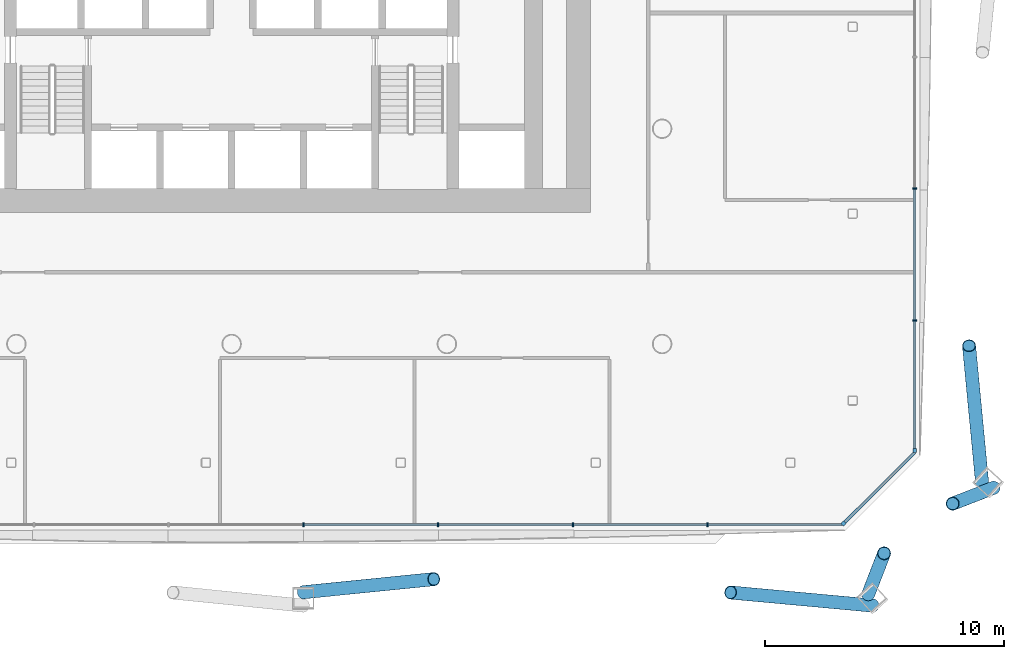
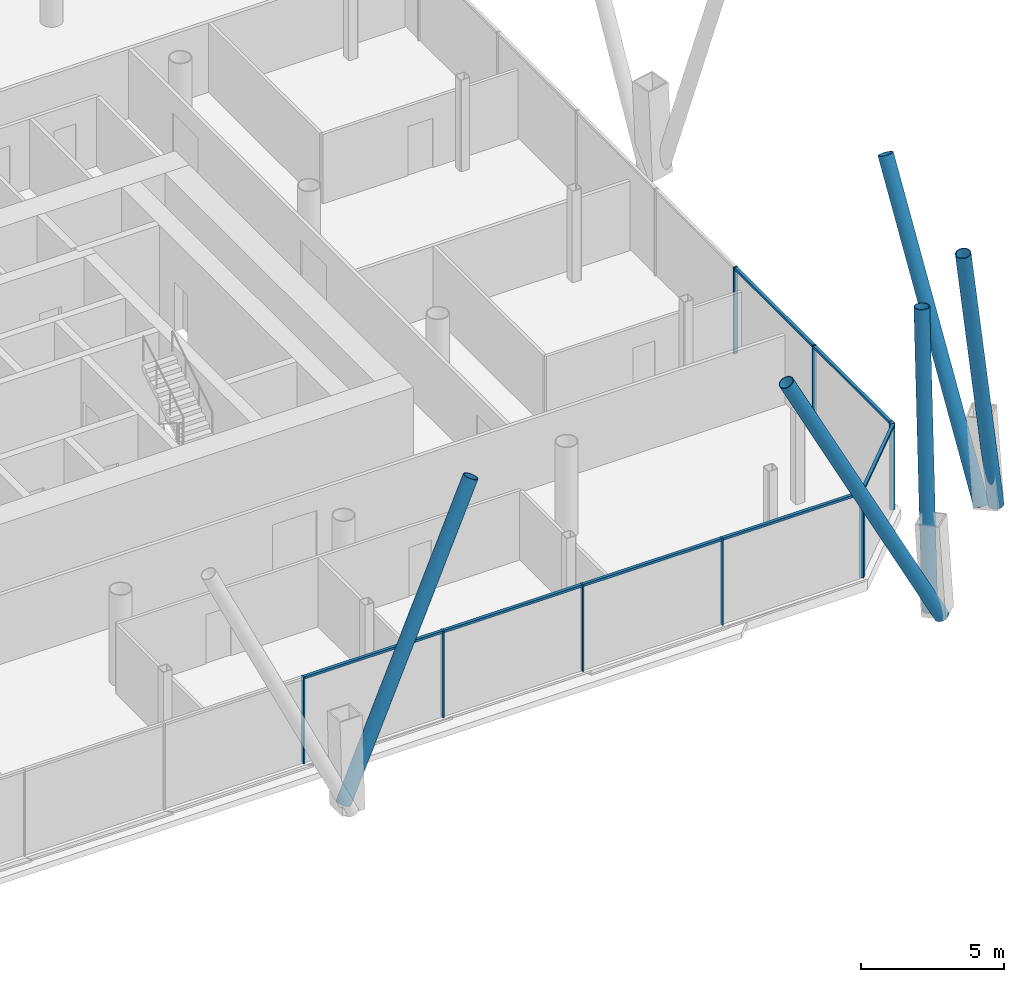
# One storey, part 6 of 23: 20 members, 3 elements without a shape of their own.
"""IFC4 building model written with IfcOpenShell, lengths in metres."""

from ifc_helpers import new_model, si_unit, direction, frame, origin, origin_2d, place, context, subcontext, project, spatial, rectangle, hollow_circle, extrude, material, material_profile, profile_set, type_object, element, aggregate, save


model = new_model("IFC4")

# Units and contexts
model_context = context("Model", 3, precision=1e-05, world=origin(), true_north=direction((0.0, 1.0)))
body_context = subcontext(model_context, "Body", "Model", "MODEL_VIEW")
ifc_project = project(units=[si_unit("LENGTHUNIT", "METRE"), si_unit("AREAUNIT", "SQUARE_METRE"), si_unit("VOLUMEUNIT", "CUBIC_METRE"), si_unit("PLANEANGLEUNIT", "RADIAN"), si_unit("MASSUNIT", "GRAM", prefix="KILO")], contexts=[model_context])

# Site, building, storey
site_placement = place(None, origin())
site = spatial("IfcSite", under=ifc_project, at=site_placement, CompositionType="ELEMENT")
building_placement = place(site_placement, origin())
building = spatial("IfcBuilding", under=site, at=building_placement, Name="Tskaro Facet Tower", CompositionType="ELEMENT")
storey_placement = place(building_placement, frame((0.0, 0.0, 62.10009765625)))
storey = spatial("IfcBuildingStorey", under=building, at=storey_placement, Name="L14", CompositionType="ELEMENT", Elevation=62.10009765625)

# Members
ifc_material_1 = material(Name="Steel S355J2H", Category="steel")
ifc_material_profile_1 = material_profile(ifc_material_1, hollow_circle(Radius=0.279541015625, WallThickness=0.02490234375, at=origin_2d()), Name="CHS 559x25")
ifc_profile_set_1 = profile_set([ifc_material_profile_1], Name="Steel S355J2H")
member_type_1 = type_object("IfcMemberType", Name="CHS 559x25 brace", PredefinedType="BRACE", material=ifc_profile_set_1)
member_1_placement = place(storey_placement, frame((3.0, -28.37939453125, 0.0), z_axis=(0.422116135188, 0.042402462391, 0.905549556677), x_axis=(-0.099949115091, 0.994992549918, 0.0)))
element("IfcMember", 1, at=member_1_placement, inside=storey, type_object=member_type_1, Name="CHS 559x25 XB02A/2", PredefinedType="BRACE", context=body_context, shape_type="SweptSolid", body=[
    extrude(hollow_circle(Radius=0.279541015625, WallThickness=0.02490234375, at=origin_2d()), origin(), (0.0, 0.0, 1.0), 12.920166015625),
])
member_2_placement = place(storey_placement, frame((26.81591796875, -28.9384765625, 0.0), z_axis=(-0.45313815189, 0.041714649239, 0.890463757455), x_axis=(-0.091669634271, -0.995789474815, 0.0)))
element("IfcMember", 2, at=member_2_placement, inside=storey, type_object=member_type_1, Name="CHS 559x25 XB02B/2", PredefinedType="BRACE", context=body_context, shape_type="SweptSolid", body=[
    extrude(hollow_circle(Radius=0.279541015625, WallThickness=0.02490234375, at=origin_2d()), origin(), (0.0, 0.0, 1.0), 13.13916015625),
])
for number, where, z_axis, x_axis, name in (
    (3, (26.618408203125, -28.46142578125, 0.0), (0.055948586081, 0.144489181961, 0.987923393797), (-0.932530526847, 0.361091147077, 0.0), "CHS 559x25 XB03A/2"),
    (4, (31.856689453125, -24.013671875, 0.0), (-0.144468997442, -0.055948752719, 0.987926336245), (0.361135953136, -0.932513175967, 0.0), "CHS 559x25 XB03B/2"),
):
    element("IfcMember", number, at=place(storey_placement, frame(where, z_axis=z_axis, x_axis=x_axis)), inside=storey, type_object=member_type_1, Name=name, PredefinedType="BRACE", context=body_context, shape_type="SweptSolid", body=[
        extrude(hollow_circle(Radius=0.279541015625, WallThickness=0.02490234375, at=origin_2d()), origin(), (0.0, 0.0, 1.0), 11.843017578125),
    ])
member_3_placement = place(storey_placement, frame((31.37939453125, -23.81591796875, 0.0), z_axis=(-0.04199486521, 0.44034722745, 0.896844886574), x_axis=(-0.995483295194, -0.094936868441, 0.0)))
element("IfcMember", 5, at=member_3_placement, inside=storey, type_object=member_type_1, Name="CHS 559x25 XB04A/2", PredefinedType="BRACE", context=body_context, shape_type="SweptSolid", body=[
    extrude(hollow_circle(Radius=0.279541015625, WallThickness=0.02490234375, at=origin_2d()), origin(), (0.0, 0.0, 1.0), 13.045654296875),
])

# Curtain wall, member
ifc_material_2 = material(Name="Bronze anodised aluminium 6063-T6", Category="aluminium")
curtain_wall_type = type_object("IfcCurtainWallType", Name="Bronze office curtain wall (FW1)", PredefinedType="NOTDEFINED", material=ifc_material_2)
curtain_wall_1_placement = place(storey_placement, origin())
curtain_wall_1 = element("IfcCurtainWall", 6, at=curtain_wall_1_placement, inside=storey, type_object=curtain_wall_type, Name="FW1 south-east facet L14", PredefinedType="NOTDEFINED")
ifc_material_profile_2 = material_profile(ifc_material_2, rectangle(XDim=0.159912109375, YDim=0.159912109375, at=origin_2d()), Name="Corner post 160x160")
ifc_profile_set_2 = profile_set([ifc_material_profile_2], Name="Bronze anodised aluminium 6063-T6")
member_type_2 = type_object("IfcMemberType", Name="FW1 bronze corner post 160x160", PredefinedType="MULLION", material=ifc_profile_set_2)
member_4_placement = place(storey_placement, frame((25.587646484375, -25.50244140625, 0.0), z_axis=(0.0, 0.0, 1.0), x_axis=(0.707106781187, 0.707106781187, 0.0)))
member_4 = element("IfcMember", 7, at=member_4_placement, type_object=member_type_2, Name="FW1 south-east corner post", PredefinedType="MULLION", context=body_context, shape_type="SweptSolid", body=[
    extrude(rectangle(XDim=0.159912109375, YDim=0.159912109375, at=origin_2d()), origin(), (0.0, 0.0, 1.0), 3.699951171875),
])

curtain_wall_2_placement = place(storey_placement, origin())
curtain_wall_2 = element("IfcCurtainWall", 8, at=curtain_wall_2_placement, inside=storey, type_object=curtain_wall_type, Name="FW1 east facet L14", PredefinedType="NOTDEFINED")
member_5_placement = place(storey_placement, frame((28.55908203125, -22.450927734375, 0.0), z_axis=(0.0, 0.0, 1.0), x_axis=(0.0, 1.0, 0.0)))
member_5 = element("IfcMember", 9, at=member_5_placement, type_object=member_type_2, Name="FW1 east corner post", PredefinedType="MULLION", context=body_context, shape_type="SweptSolid", body=[
    extrude(rectangle(XDim=0.159912109375, YDim=0.159912109375, at=origin_2d()), origin(), (0.0, 0.0, 1.0), 3.699951171875),
])

# Curtain wall, members
curtain_wall_3_placement = place(storey_placement, origin())
curtain_wall_3 = element("IfcCurtainWall", 10, at=curtain_wall_3_placement, inside=storey, type_object=curtain_wall_type, Name="FW1 south facet L14", PredefinedType="NOTDEFINED")
ifc_material_profile_3 = material_profile(ifc_material_2, rectangle(XDim=0.06005859375, YDim=0.159912109375, at=origin_2d()), Name="Mullion 60x160")
ifc_profile_set_3 = profile_set([ifc_material_profile_3], Name="Bronze anodised aluminium 6063-T6")
member_type_3 = type_object("IfcMemberType", Name="FW1 bronze mullion 60x160", PredefinedType="MULLION", material=ifc_profile_set_3)
member_6_placement = place(storey_placement, frame((3.0, -25.55908203125, 0.0), z_axis=(0.0, 0.0, 1.0), x_axis=(1.0, 0.0, 0.0)))
member_6 = element("IfcMember", 11, at=member_6_placement, type_object=member_type_3, Name="FW1 south mullion 4", PredefinedType="MULLION", context=body_context, shape_type="SweptSolid", body=[
    extrude(rectangle(XDim=0.06005859375, YDim=0.159912109375, at=origin_2d()), origin(), (0.0, 0.0, 1.0), 3.699951171875),
])
member_7_placement = place(storey_placement, frame((8.6328125, -25.55908203125, 0.0), z_axis=(0.0, 0.0, 1.0), x_axis=(1.0, 0.0, 0.0)))
member_7 = element("IfcMember", 12, at=member_7_placement, type_object=member_type_3, Name="FW1 south mullion 5", PredefinedType="MULLION", context=body_context, shape_type="SweptSolid", body=[
    extrude(rectangle(XDim=0.06005859375, YDim=0.159912109375, at=origin_2d()), origin(), (0.0, 0.0, 1.0), 3.699951171875),
])
member_8_placement = place(storey_placement, frame((14.265380859375, -25.55908203125, 0.0), z_axis=(0.0, 0.0, 1.0), x_axis=(1.0, 0.0, 0.0)))
member_8 = element("IfcMember", 13, at=member_8_placement, type_object=member_type_3, Name="FW1 south mullion 6", PredefinedType="MULLION", context=body_context, shape_type="SweptSolid", body=[
    extrude(rectangle(XDim=0.06005859375, YDim=0.159912109375, at=origin_2d()), origin(), (0.0, 0.0, 1.0), 3.699951171875),
])
member_9_placement = place(storey_placement, frame((19.898193359375, -25.55908203125, 0.0), z_axis=(0.0, 0.0, 1.0), x_axis=(1.0, 0.0, 0.0)))
member_9 = element("IfcMember", 14, at=member_9_placement, type_object=member_type_3, Name="FW1 south mullion 7", PredefinedType="MULLION", context=body_context, shape_type="SweptSolid", body=[
    extrude(rectangle(XDim=0.06005859375, YDim=0.159912109375, at=origin_2d()), origin(), (0.0, 0.0, 1.0), 3.699951171875),
])

# Member
member_10_placement = place(storey_placement, frame((28.55908203125, -17.017822265625, 0.0), z_axis=(0.0, 0.0, 1.0), x_axis=(0.0, 1.0, 0.0)))
member_10 = element("IfcMember", 15, at=member_10_placement, type_object=member_type_3, Name="FW1 east mullion 1", PredefinedType="MULLION", context=body_context, shape_type="SweptSolid", body=[
    extrude(rectangle(XDim=0.06005859375, YDim=0.159912109375, at=origin_2d()), origin(), (0.0, 0.0, 1.0), 3.699951171875),
])

member_11_placement = place(storey_placement, frame((28.55908203125, -11.504638671875, 0.0), z_axis=(0.0, 0.0, 1.0), x_axis=(0.0, 1.0, 0.0)))
member_11 = element("IfcMember", 16, at=member_11_placement, type_object=member_type_3, Name="FW1 east mullion 2", PredefinedType="MULLION", context=body_context, shape_type="SweptSolid", body=[
    extrude(rectangle(XDim=0.06005859375, YDim=0.159912109375, at=origin_2d()), origin(), (0.0, 0.0, 1.0), 3.699951171875),
])

ifc_material_profile_4 = material_profile(ifc_material_2, rectangle(XDim=0.1201171875, YDim=0.10009765625, at=origin_2d()), Name="Transom 120x100")
ifc_profile_set_4 = profile_set([ifc_material_profile_4], Name="Bronze anodised aluminium 6063-T6")
member_type_4 = type_object("IfcMemberType", Name="FW1 bronze transom 120x100", PredefinedType="USERDEFINED", material=ifc_profile_set_4)
member_12_placement = place(storey_placement, frame((3.030029296875, -25.55908203125, 3.64990234375), z_axis=(1.0, 0.0, 0.0), x_axis=(0.0, 1.0, 0.0)))
member_12 = element("IfcMember", 17, at=member_12_placement, type_object=member_type_4, Name="FW1 south transom 5.1", ObjectType="TRANSOM", PredefinedType="USERDEFINED", context=body_context, shape_type="SweptSolid", body=[
    extrude(rectangle(XDim=0.1201171875, YDim=0.10009765625, at=origin_2d()), origin(), (0.0, 0.0, 1.0), 5.57275390625),
])

member_13_placement = place(storey_placement, frame((8.662841796875, -25.55908203125, 3.64990234375), z_axis=(1.0, 0.0, 0.0), x_axis=(0.0, 1.0, 0.0)))
member_13 = element("IfcMember", 18, at=member_13_placement, type_object=member_type_4, Name="FW1 south transom 6.1", ObjectType="TRANSOM", PredefinedType="USERDEFINED", context=body_context, shape_type="SweptSolid", body=[
    extrude(rectangle(XDim=0.1201171875, YDim=0.10009765625, at=origin_2d()), origin(), (0.0, 0.0, 1.0), 5.57275390625),
])

member_14_placement = place(storey_placement, frame((14.29541015625, -25.55908203125, 3.64990234375), z_axis=(1.0, 0.0, 0.0), x_axis=(0.0, 1.0, 0.0)))
member_14 = element("IfcMember", 19, at=member_14_placement, type_object=member_type_4, Name="FW1 south transom 7.1", ObjectType="TRANSOM", PredefinedType="USERDEFINED", context=body_context, shape_type="SweptSolid", body=[
    extrude(rectangle(XDim=0.1201171875, YDim=0.10009765625, at=origin_2d()), origin(), (0.0, 0.0, 1.0), 5.57275390625),
])

member_15_placement = place(storey_placement, frame((19.92822265625, -25.55908203125, 3.64990234375), z_axis=(1.0, 0.0, 0.0), x_axis=(0.0, 1.0, 0.0)))
member_15 = element("IfcMember", 20, at=member_15_placement, type_object=member_type_4, Name="FW1 south transom 8.1", ObjectType="TRANSOM", PredefinedType="USERDEFINED", context=body_context, shape_type="SweptSolid", body=[
    extrude(rectangle(XDim=0.1201171875, YDim=0.10009765625, at=origin_2d()), origin(), (0.0, 0.0, 1.0), 5.602783203125),
])

aggregate(curtain_wall_3, [member_6, member_7, member_8, member_9, member_12, member_13, member_14, member_15])

member_16_placement = place(storey_placement, frame((25.64404296875, -25.44580078125, 3.64990234375), z_axis=(0.707136392643, 0.70707716849, 0.0), x_axis=(-0.70707716849, 0.707136392643, 0.0)))
member_16 = element("IfcMember", 21, at=member_16_placement, type_object=member_type_4, Name="FW1 south-east transom 1.1", ObjectType="TRANSOM", PredefinedType="USERDEFINED", context=body_context, shape_type="SweptSolid", body=[
    extrude(rectangle(XDim=0.1201171875, YDim=0.10009765625, at=origin_2d()), origin(), (0.0, 0.0, 1.0), 4.122314453125),
])

aggregate(curtain_wall_1, [member_4, member_16])

member_17_placement = place(storey_placement, frame((28.55908203125, -22.37109375, 3.64990234375), z_axis=(0.0, 1.0, 0.0), x_axis=(-1.0, 0.0, 0.0)))
member_17 = element("IfcMember", 22, at=member_17_placement, type_object=member_type_4, Name="FW1 east transom 1.1", ObjectType="TRANSOM", PredefinedType="USERDEFINED", context=body_context, shape_type="SweptSolid", body=[
    extrude(rectangle(XDim=0.1201171875, YDim=0.10009765625, at=origin_2d()), origin(), (0.0, 0.0, 1.0), 5.3232421875),
])

member_18_placement = place(storey_placement, frame((28.55908203125, -16.98779296875, 3.64990234375), z_axis=(0.0, 1.0, 0.0), x_axis=(-1.0, 0.0, 0.0)))
member_18 = element("IfcMember", 23, at=member_18_placement, type_object=member_type_4, Name="FW1 east transom 2.1", ObjectType="TRANSOM", PredefinedType="USERDEFINED", context=body_context, shape_type="SweptSolid", body=[
    extrude(rectangle(XDim=0.1201171875, YDim=0.10009765625, at=origin_2d()), origin(), (0.0, 0.0, 1.0), 5.453125),
])

aggregate(curtain_wall_2, [member_5, member_10, member_11, member_17, member_18])

save(model, "model.ifc")
